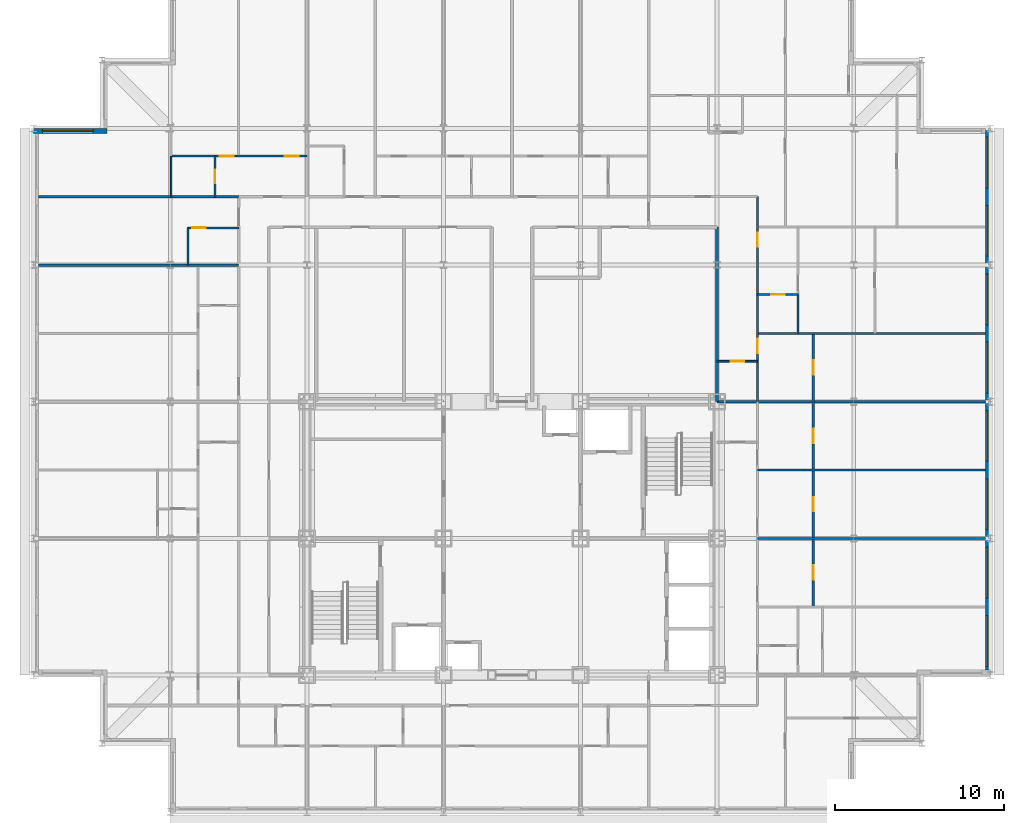
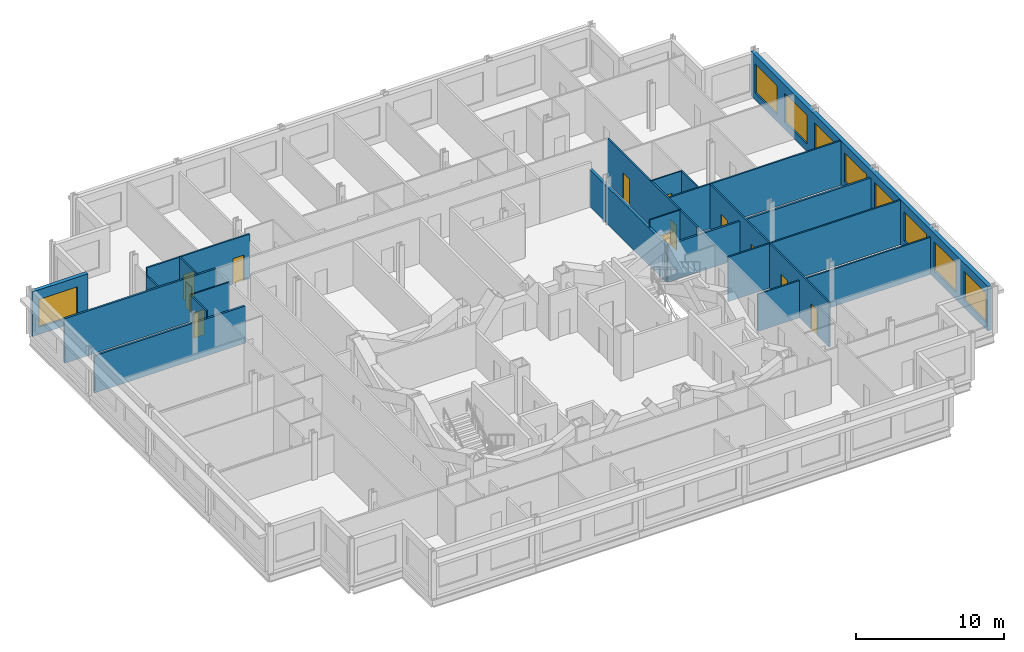
# One storey, part 11 of 15: 19 walls, 12 doors, 9 windows, 21 openings.
"""IFC4 building model written with IfcOpenShell, lengths in metres."""

import ifcopenshell
import ifcopenshell.guid

model = None  # the IFC model being written
_history = None  # IfcOwnerHistory: only IFC2X3 demands one
_inside = {}  # id of a spatial element -> (the spatial element, [elements in it])
_under = {}  # id of a project, library or spatial element -> (it, [spatial elements below it])
_declared = {}  # id of a project -> (the project, [libraries it declares])
_typed = {}  # id of a type object -> (the type object, [elements of that type])
_made_of = {}  # id of a material, layer set ... -> (it, [elements and type objects made of it])


def new_model(schema):
    """Start an empty IFC model of exactly this schema.

    Asked for "IFC4X3", IfcOpenShell would pick the latest addendum, in which some entities
    have other attributes; the version numbers below select the first issue.
    IFC2X3 requires an IfcOwnerHistory on every rooted entity: one is made here for all.
    """
    global model, _history
    if schema == "IFC4X3":
        model = ifcopenshell.file(schema_version=(4, 3, 0, 0))
    else:
        model = ifcopenshell.file(schema=schema)
    _inside.clear()
    _under.clear()
    _declared.clear()
    _typed.clear()
    _made_of.clear()
    _history = None
    if model.schema == "IFC2X3":
        org = make("IfcOrganization", Name="unknown")
        user = make(
            "IfcPersonAndOrganization",
            ThePerson=make("IfcPerson", FamilyName="unknown"),
            TheOrganization=org,
        )
        app = make(
            "IfcApplication",
            ApplicationDeveloper=org,
            Version="unknown",
            ApplicationFullName="unknown",
            ApplicationIdentifier="unknown",
        )
        _history = make(
            "IfcOwnerHistory",
            OwningUser=user,
            OwningApplication=app,
            ChangeAction="ADDED",
            CreationDate=0,
        )
    return model


def make(cls, **values):
    """One entity of the class cls with the attributes given. An attribute that is None is left unset."""
    return model.create_entity(
        cls, **{name: value for name, value in values.items() if value is not None}
    )


def rooted(cls, **values):
    """An entity with a GlobalId (a new one), such as an element, a storey or a relation."""
    return make(cls, GlobalId=ifcopenshell.guid.new(), OwnerHistory=_history, **values)


def si_unit(unit_type, name, prefix=None):
    """IfcSIUnit, for example si_unit("LENGTHUNIT", "METRE", prefix="MILLI")."""
    return make("IfcSIUnit", UnitType=unit_type, Prefix=prefix, Name=name)


def assignment(units):
    """IfcUnitAssignment: the units of a project."""
    return None if units is None else make("IfcUnitAssignment", Units=units)


def point(xyz):
    """IfcCartesianPoint."""
    return None if xyz is None else make("IfcCartesianPoint", Coordinates=xyz)


def direction(xyz):
    """IfcDirection."""
    return None if xyz is None else make("IfcDirection", DirectionRatios=xyz)


def frame(location, z_axis=None, x_axis=None):
    """IfcAxis2Placement3D, a coordinate frame: its origin and axes. An axis left out is left unset."""
    return make(
        "IfcAxis2Placement3D",
        Location=point(location),
        Axis=direction(z_axis),
        RefDirection=direction(x_axis),
    )


def frame_2d(location, x_axis=None):
    """IfcAxis2Placement2D, a coordinate frame in the plane: its origin and x axis."""
    return make(
        "IfcAxis2Placement2D", Location=point(location), RefDirection=direction(x_axis)
    )


def origin():
    """The frame at (0, 0, 0) with its axes left unset."""
    return frame((0.0, 0.0, 0.0))


def place(relative_to, where):
    """IfcLocalPlacement: puts the frame where relative to a parent placement (None: the world)."""
    return make(
        "IfcLocalPlacement", PlacementRelTo=relative_to, RelativePlacement=where
    )


def context(
    kind, dimensions, precision=None, world=None, true_north=None, identifier=None
):
    """IfcGeometricRepresentationContext, for example the 3D "Model" context."""
    return make(
        "IfcGeometricRepresentationContext",
        ContextIdentifier=identifier,
        ContextType=kind,
        CoordinateSpaceDimension=dimensions,
        Precision=precision,
        WorldCoordinateSystem=world,
        TrueNorth=true_north,
    )


def subcontext(parent, identifier, kind, view, scale=None):
    """IfcGeometricRepresentationSubContext, for example "Body" below "Model"."""
    return make(
        "IfcGeometricRepresentationSubContext",
        ContextIdentifier=identifier,
        ContextType=kind,
        ParentContext=parent,
        TargetScale=scale,
        TargetView=view,
    )


def project(units=None, contexts=None):
    """IfcProject with its units and contexts."""
    return rooted(
        "IfcProject",
        Name="project",
        RepresentationContexts=contexts,
        UnitsInContext=assignment(units),
    )


def spatial(cls, under=None, at=None, **own):
    """A site, building, storey or space (cls), placed at a placement, below another one or the project."""
    s = rooted(cls, ObjectPlacement=at, **own)
    if under is not None:
        _under.setdefault(under.id(), (under, []))[1].append(s)
    return s


def profile(cls, at=None, kind="AREA", **sizes):
    """A parametric profile (cls). Its sizes go by their IFC names, for example OverallWidth=200.0."""
    return make(cls, ProfileType=kind, Position=at, **sizes)


def rectangle(**sizes):
    """IfcRectangleProfileDef."""
    return profile("IfcRectangleProfileDef", **sizes)


def extrude(swept, where, along, depth):
    """IfcExtrudedAreaSolid: the profile swept, set in the frame where, extruded along a direction by depth."""
    return make(
        "IfcExtrudedAreaSolid",
        SweptArea=swept,
        Position=where,
        ExtrudedDirection=direction(along),
        Depth=depth,
    )


def shape(context_of_items, identifier, shape_type, items):
    """IfcShapeRepresentation: the items that make up one representation, for example the "Body"."""
    return make(
        "IfcShapeRepresentation",
        ContextOfItems=context_of_items,
        RepresentationIdentifier=identifier,
        RepresentationType=shape_type,
        Items=items,
    )


def material(Name=None, Category=None):
    """IfcMaterial."""
    return make("IfcMaterial", Name=Name, Category=Category)


def layer(
    of_material, thickness, ventilated=None, Name=None, Category=None, Priority=None
):
    """IfcMaterialLayer: one layer of a wall or slab, of a material (None: an air gap)."""
    return make(
        "IfcMaterialLayer",
        Material=of_material,
        LayerThickness=thickness,
        IsVentilated=ventilated,
        Name=Name,
        Category=Category,
        Priority=Priority,
    )


def layer_set(layers, Name=None):
    """IfcMaterialLayerSet."""
    return make("IfcMaterialLayerSet", MaterialLayers=layers, LayerSetName=Name)


def made_of(thing, what):
    """Note that an element or type object is made of a material, layer set ...; save() writes the relation."""
    if what is not None:
        _made_of.setdefault(what.id(), (what, []))[1].append(thing)
    return thing


def type_object(cls, material=None, **own):
    """A type object (cls), such as IfcWallType, which elements share."""
    return made_of(rooted(cls, **own), material)


def element(
    cls,
    number,
    at=None,
    inside=None,
    cuts=None,
    type_object=None,
    material=None,
    context=None,
    identifier="Body",
    shape_type=None,
    held_by="IfcProductDefinitionShape",
    body=None,
    shapes=None,
    **own,
):
    """One element of the class cls, such as IfcWall. Its Tag is "e" and its number.

    at: its placement. inside: the storey or other place that contains it. cuts: it is an
    opening in that element (IfcRelVoidsElement). A single representation is given by context,
    identifier, shape_type and body (its items); several are given by shapes. held_by: the class
    of the entity that holds the representations. save() writes the other relations.
    """
    e = rooted(cls, Tag="e%d" % number, ObjectPlacement=at, **own)
    if body is not None:
        shapes = [shape(context, identifier, shape_type, body)]
    if shapes is not None:
        e.Representation = make(held_by, Representations=shapes)
    if inside is not None:
        _inside.setdefault(inside.id(), (inside, []))[1].append(e)
    if cuts is not None:
        rooted(
            "IfcRelVoidsElement", RelatingBuildingElement=cuts, RelatedOpeningElement=e
        )
    if type_object is not None:
        _typed.setdefault(type_object.id(), (type_object, []))[1].append(e)
    return made_of(e, material)


def fill(opening, filler):
    """IfcRelFillsElement: the door or window that sits in an opening."""
    return rooted(
        "IfcRelFillsElement",
        RelatingOpeningElement=opening,
        RelatedBuildingElement=filler,
    )


def aggregate(whole, parts):
    """IfcRelAggregates: a whole, such as a stair, and the parts it consists of."""
    return rooted("IfcRelAggregates", RelatingObject=whole, RelatedObjects=parts)


def save(model, path):
    """Write the relations noted so far, then the file.

    IfcRelAggregates (storeys below a building ...), IfcRelContainedInSpatialStructure (elements
    in a storey), IfcRelDefinesByType, IfcRelAssociatesMaterial and IfcRelDeclares: one each for
    every whole, place, type object, material and project.
    """
    for whole, parts in _under.values():
        aggregate(whole, parts)
    for where, things in _inside.values():
        rooted(
            "IfcRelContainedInSpatialStructure",
            RelatedElements=things,
            RelatingStructure=where,
        )
    for kind, things in _typed.values():
        rooted("IfcRelDefinesByType", RelatedObjects=things, RelatingType=kind)
    for what, things in _made_of.values():
        rooted("IfcRelAssociatesMaterial", RelatedObjects=things, RelatingMaterial=what)
    for by, libraries in _declared.values():
        rooted("IfcRelDeclares", RelatingContext=by, RelatedDefinitions=libraries)
    model.write(path)


model = new_model("IFC4")

# Units and contexts
model_context = context("Model", 3, precision=1e-05, world=origin(), true_north=direction((0.0, 1.0)))
body_context = subcontext(model_context, "Body", "Model", "MODEL_VIEW")
ifc_project = project(units=[si_unit("LENGTHUNIT", "METRE"), si_unit("AREAUNIT", "SQUARE_METRE"), si_unit("VOLUMEUNIT", "CUBIC_METRE"), si_unit("PLANEANGLEUNIT", "RADIAN"), si_unit("MASSUNIT", "GRAM", prefix="KILO")], contexts=[model_context])

# Site, building, storey
site_placement = place(None, origin())
site = spatial("IfcSite", under=ifc_project, at=site_placement, CompositionType="ELEMENT")
building_placement = place(site_placement, origin())
building = spatial("IfcBuilding", under=site, at=building_placement, Name="Kopane Lantern Tower", CompositionType="ELEMENT")
storey_placement = place(building_placement, frame((0.0, 0.0, 273.60009765625)))
storey = spatial("IfcBuildingStorey", under=building, at=storey_placement, Name="L70", CompositionType="ELEMENT", Elevation=273.60009765625)

# Wall, openings, doors
ifc_material_1 = material(Name="Gypsum board on steel studs", Category="steel")
ifc_layer_1 = layer(ifc_material_1, 0.1201171875)
ifc_layer_set_1 = layer_set([ifc_layer_1], Name="APARTMENT INTERNAL WALL 120")
wall_type_1 = type_object("IfcWallType", Name="APARTMENT INTERNAL WALL 120", PredefinedType="PARTITIONING", material=ifc_layer_set_1)
wall_1_placement = place(storey_placement, frame((8.14990234375, 55.050048828125, 0.0), z_axis=(0.0, 0.0, 1.0), x_axis=(1.0, 0.0, 0.0)))
wall_1 = element("IfcWall", 1, at=wall_1_placement, inside=storey, type_object=wall_type_1, Name="Apartment Internal Wall 120 L70", PredefinedType="PARTITIONING", context=body_context, shape_type="SweptSolid", body=[
    extrude(rectangle(XDim=8.050048828125, YDim=0.1201171875, at=frame_2d((4.02490234375, 0.0))), origin(), (0.0, 0.0, 1.0), 3.68994140625),
])
opening_1_placement = place(wall_1_placement, frame((6.72509765625, 0.0, 0.0)))
opening_1 = element("IfcOpeningElement", 2, at=opening_1_placement, cuts=wall_1, Name="Opening L70-042", PredefinedType="OPENING", context=body_context, shape_type="SweptSolid", body=[
    extrude(rectangle(XDim=0.85009765625, YDim=2.10009765625, at=frame_2d((0.425048828125, 1.050048828125))), frame((0.0, 0.070068359375, 0.0), z_axis=(0.0, -1.0, 0.0), x_axis=(1.0, 0.0, 0.0)), (0.0, 0.0, 1.0), 0.14013671875),
])
opening_2_placement = place(wall_1_placement, frame((2.875, 0.0, 0.0)))
opening_2 = element("IfcOpeningElement", 3, at=opening_2_placement, cuts=wall_1, Name="Opening L70-044", PredefinedType="OPENING", context=body_context, shape_type="SweptSolid", body=[
    extrude(rectangle(XDim=0.85009765625, YDim=2.10009765625, at=frame_2d((0.425048828125, 1.050048828125))), frame((0.0, 0.070068359375, 0.0), z_axis=(0.0, -1.0, 0.0), x_axis=(1.0, 0.0, 0.0)), (0.0, 0.0, 1.0), 0.14013671875),
])
ifc_material_2 = material(Name="Timber door set", Category="wood")
door_type_1 = type_object("IfcDoorType", Name="DOOR D4 850x2100", OperationType="SINGLE_SWING_LEFT", PredefinedType="DOOR", material=ifc_material_2)
door_1_placement = place(opening_1_placement, origin())
door_1 = element("IfcDoor", 4, at=door_1_placement, inside=storey, type_object=door_type_1, Name="Door L70-042", OperationType="SINGLE_SWING_LEFT", OverallHeight=2.10009765625, OverallWidth=0.85009765625, PredefinedType="DOOR", context=body_context, shape_type="SweptSolid", body=[
    extrude(rectangle(XDim=0.85009765625, YDim=2.10009765625, at=frame_2d((0.425048828125, 1.050048828125))), frame((0.0, 0.02490234375, 0.0), z_axis=(0.0, -1.0, 0.0), x_axis=(1.0, 0.0, 0.0)), (0.0, 0.0, 1.0), 0.050048828125),
])
fill(opening_1, door_1)
door_2_placement = place(opening_2_placement, origin())
door_2 = element("IfcDoor", 5, at=door_2_placement, inside=storey, type_object=door_type_1, Name="Door L70-044", OperationType="SINGLE_SWING_RIGHT", OverallHeight=2.10009765625, OverallWidth=0.85009765625, PredefinedType="DOOR", context=body_context, shape_type="SweptSolid", body=[
    extrude(rectangle(XDim=0.85009765625, YDim=2.10009765625, at=frame_2d((0.425048828125, 1.050048828125))), frame((0.0, 0.02490234375, 0.0), z_axis=(0.0, -1.0, 0.0), x_axis=(1.0, 0.0, 0.0)), (0.0, 0.0, 1.0), 0.050048828125),
])
fill(opening_2, door_2)

# Walls
wall_2_placement = place(storey_placement, frame((42.89990234375, 32.39990234375, 0.0), z_axis=(0.0, 0.0, 1.0), x_axis=(1.0, 0.0, 0.0)))
element("IfcWall", 6, at=wall_2_placement, inside=storey, type_object=wall_type_1, Name="Apartment Internal Wall 120 L70", PredefinedType="PARTITIONING", context=body_context, shape_type="SweptSolid", body=[
    extrude(rectangle(XDim=13.5, YDim=0.1201171875, at=frame_2d((6.75, 0.0))), origin(), (0.0, 0.0, 1.0), 3.07763671875),
])
wall_3_placement = place(storey_placement, frame((42.89990234375, 36.449951171875, 0.0), z_axis=(0.0, 0.0, 1.0), x_axis=(1.0, 0.0, 0.0)))
element("IfcWall", 7, at=wall_3_placement, inside=storey, type_object=wall_type_1, Name="Apartment Internal Wall 120 L70", PredefinedType="PARTITIONING", context=body_context, shape_type="SweptSolid", body=[
    extrude(rectangle(XDim=13.5, YDim=0.1201171875, at=frame_2d((6.75, 0.0))), origin(), (0.0, 0.0, 1.0), 3.68994140625),
])

# Wall, openings, doors
wall_4_placement = place(storey_placement, frame((42.89990234375, 52.64990234375, 0.0), z_axis=(0.0, 0.0, 1.0), x_axis=(0.0, -1.0, 0.0)))
wall_4 = element("IfcWall", 8, at=wall_4_placement, inside=storey, type_object=wall_type_1, Name="Apartment Internal Wall 120 L70", PredefinedType="PARTITIONING", context=body_context, shape_type="SweptSolid", body=[
    extrude(rectangle(XDim=12.14990234375, YDim=0.1201171875, at=frame_2d((6.074951171875, 0.0))), origin(), (0.0, 0.0, 1.0), 3.68994140625),
])
opening_3_placement = place(wall_4_placement, frame((2.125, 0.0, 0.0)))
opening_3 = element("IfcOpeningElement", 9, at=opening_3_placement, cuts=wall_4, Name="Opening L70-061", PredefinedType="OPENING", context=body_context, shape_type="SweptSolid", body=[
    extrude(rectangle(XDim=0.85009765625, YDim=2.10009765625, at=frame_2d((0.425048828125, 1.050048828125))), frame((0.0, 0.070068359375, 0.0), z_axis=(0.0, -1.0, 0.0), x_axis=(1.0, 0.0, 0.0)), (0.0, 0.0, 1.0), 0.14013671875),
])
opening_4_placement = place(wall_4_placement, frame((8.425048828125, 0.0, 0.0)))
opening_4 = element("IfcOpeningElement", 10, at=opening_4_placement, cuts=wall_4, Name="Opening L70-062", PredefinedType="OPENING", context=body_context, shape_type="SweptSolid", body=[
    extrude(rectangle(XDim=0.85009765625, YDim=2.10009765625, at=frame_2d((0.425048828125, 1.050048828125))), frame((0.0, 0.070068359375, 0.0), z_axis=(0.0, -1.0, 0.0), x_axis=(1.0, 0.0, 0.0)), (0.0, 0.0, 1.0), 0.14013671875),
])
door_3_placement = place(opening_3_placement, origin())
door_3 = element("IfcDoor", 11, at=door_3_placement, inside=storey, type_object=door_type_1, Name="Door L70-061", OperationType="SINGLE_SWING_LEFT", OverallHeight=2.10009765625, OverallWidth=0.85009765625, PredefinedType="DOOR", context=body_context, shape_type="SweptSolid", body=[
    extrude(rectangle(XDim=0.85009765625, YDim=2.10009765625, at=frame_2d((0.425048828125, 1.050048828125))), frame((0.0, 0.02490234375, 0.0), z_axis=(0.0, -1.0, 0.0), x_axis=(1.0, 0.0, 0.0)), (0.0, 0.0, 1.0), 0.050048828125),
])
fill(opening_3, door_3)
door_4_placement = place(opening_4_placement, origin())
door_4 = element("IfcDoor", 12, at=door_4_placement, inside=storey, type_object=door_type_1, Name="Door L70-062", OperationType="SINGLE_SWING_LEFT", OverallHeight=2.10009765625, OverallWidth=0.85009765625, PredefinedType="DOOR", context=body_context, shape_type="SweptSolid", body=[
    extrude(rectangle(XDim=0.85009765625, YDim=2.10009765625, at=frame_2d((0.425048828125, 1.050048828125))), frame((0.0, 0.02490234375, 0.0), z_axis=(0.0, -1.0, 0.0), x_axis=(1.0, 0.0, 0.0)), (0.0, 0.0, 1.0), 0.050048828125),
])
fill(opening_4, door_4)

# Wall
wall_5_placement = place(storey_placement, frame((42.89990234375, 44.550048828125, 0.0), z_axis=(0.0, 0.0, 1.0), x_axis=(1.0, 0.0, 0.0)))
element("IfcWall", 13, at=wall_5_placement, inside=storey, type_object=wall_type_1, Name="Apartment Internal Wall 120 L70", PredefinedType="PARTITIONING", context=body_context, shape_type="SweptSolid", body=[
    extrude(rectangle(XDim=13.5, YDim=0.1201171875, at=frame_2d((6.75, 0.0))), origin(), (0.0, 0.0, 1.0), 3.68994140625),
])

# Wall, openings, doors
wall_6_placement = place(storey_placement, frame((46.199951171875, 28.35009765625, 0.0), z_axis=(0.0, 0.0, 1.0), x_axis=(0.0, 1.0, 0.0)))
wall_6 = element("IfcWall", 14, at=wall_6_placement, inside=storey, type_object=wall_type_1, Name="Apartment Internal Wall 120 L70", PredefinedType="PARTITIONING", context=body_context, shape_type="SweptSolid", body=[
    extrude(rectangle(XDim=16.199951171875, YDim=0.1201171875, at=frame_2d((8.10009765625, 0.0))), origin(), (0.0, 0.0, 1.0), 3.68994140625),
])
opening_5_placement = place(wall_6_placement, frame((1.60009765625, 0.0, 0.0)))
opening_5 = element("IfcOpeningElement", 15, at=opening_5_placement, cuts=wall_6, Name="Opening L70-069", PredefinedType="OPENING", context=body_context, shape_type="SweptSolid", body=[
    extrude(rectangle(XDim=0.85009765625, YDim=2.10009765625, at=frame_2d((0.425048828125, 1.050048828125))), frame((0.0, 0.070068359375, 0.0), z_axis=(0.0, -1.0, 0.0), x_axis=(1.0, 0.0, 0.0)), (0.0, 0.0, 1.0), 0.14013671875),
])
opening_6_placement = place(wall_6_placement, frame((5.64990234375, 0.0, 0.0)))
opening_6 = element("IfcOpeningElement", 16, at=opening_6_placement, cuts=wall_6, Name="Opening L70-070", PredefinedType="OPENING", context=body_context, shape_type="SweptSolid", body=[
    extrude(rectangle(XDim=0.85009765625, YDim=2.10009765625, at=frame_2d((0.425048828125, 1.050048828125))), frame((0.0, 0.070068359375, 0.0), z_axis=(0.0, -1.0, 0.0), x_axis=(1.0, 0.0, 0.0)), (0.0, 0.0, 1.0), 0.14013671875),
])
opening_7_placement = place(wall_6_placement, frame((9.699951171875, 0.0, 0.0)))
opening_7 = element("IfcOpeningElement", 17, at=opening_7_placement, cuts=wall_6, Name="Opening L70-071", PredefinedType="OPENING", context=body_context, shape_type="SweptSolid", body=[
    extrude(rectangle(XDim=0.85009765625, YDim=2.10009765625, at=frame_2d((0.425048828125, 1.050048828125))), frame((0.0, 0.070068359375, 0.0), z_axis=(0.0, -1.0, 0.0), x_axis=(1.0, 0.0, 0.0)), (0.0, 0.0, 1.0), 0.14013671875),
])
opening_8_placement = place(wall_6_placement, frame((13.75, 0.0, 0.0)))
opening_8 = element("IfcOpeningElement", 18, at=opening_8_placement, cuts=wall_6, Name="Opening L70-074", PredefinedType="OPENING", context=body_context, shape_type="SweptSolid", body=[
    extrude(rectangle(XDim=0.85009765625, YDim=2.10009765625, at=frame_2d((0.425048828125, 1.050048828125))), frame((0.0, 0.070068359375, 0.0), z_axis=(0.0, -1.0, 0.0), x_axis=(1.0, 0.0, 0.0)), (0.0, 0.0, 1.0), 0.14013671875),
])
door_5_placement = place(opening_5_placement, origin())
door_5 = element("IfcDoor", 19, at=door_5_placement, inside=storey, type_object=door_type_1, Name="Door L70-069", OperationType="SINGLE_SWING_LEFT", OverallHeight=2.10009765625, OverallWidth=0.85009765625, PredefinedType="DOOR", context=body_context, shape_type="SweptSolid", body=[
    extrude(rectangle(XDim=0.85009765625, YDim=2.10009765625, at=frame_2d((0.425048828125, 1.050048828125))), frame((0.0, 0.02490234375, 0.0), z_axis=(0.0, -1.0, 0.0), x_axis=(1.0, 0.0, 0.0)), (0.0, 0.0, 1.0), 0.050048828125),
])
fill(opening_5, door_5)
door_6_placement = place(opening_6_placement, origin())
door_6 = element("IfcDoor", 20, at=door_6_placement, inside=storey, type_object=door_type_1, Name="Door L70-070", OperationType="SINGLE_SWING_RIGHT", OverallHeight=2.10009765625, OverallWidth=0.85009765625, PredefinedType="DOOR", context=body_context, shape_type="SweptSolid", body=[
    extrude(rectangle(XDim=0.85009765625, YDim=2.10009765625, at=frame_2d((0.425048828125, 1.050048828125))), frame((0.0, 0.02490234375, 0.0), z_axis=(0.0, -1.0, 0.0), x_axis=(1.0, 0.0, 0.0)), (0.0, 0.0, 1.0), 0.050048828125),
])
fill(opening_6, door_6)
door_7_placement = place(opening_7_placement, origin())
door_7 = element("IfcDoor", 21, at=door_7_placement, inside=storey, type_object=door_type_1, Name="Door L70-071", OperationType="SINGLE_SWING_LEFT", OverallHeight=2.10009765625, OverallWidth=0.85009765625, PredefinedType="DOOR", context=body_context, shape_type="SweptSolid", body=[
    extrude(rectangle(XDim=0.85009765625, YDim=2.10009765625, at=frame_2d((0.425048828125, 1.050048828125))), frame((0.0, 0.02490234375, 0.0), z_axis=(0.0, -1.0, 0.0), x_axis=(1.0, 0.0, 0.0)), (0.0, 0.0, 1.0), 0.050048828125),
])
fill(opening_7, door_7)
door_8_placement = place(opening_8_placement, origin())
door_8 = element("IfcDoor", 22, at=door_8_placement, inside=storey, type_object=door_type_1, Name="Door L70-074", OperationType="SINGLE_SWING_RIGHT", OverallHeight=2.10009765625, OverallWidth=0.85009765625, PredefinedType="DOOR", context=body_context, shape_type="SweptSolid", body=[
    extrude(rectangle(XDim=0.85009765625, YDim=2.10009765625, at=frame_2d((0.425048828125, 1.050048828125))), frame((0.0, 0.02490234375, 0.0), z_axis=(0.0, -1.0, 0.0), x_axis=(1.0, 0.0, 0.0)), (0.0, 0.0, 1.0), 0.050048828125),
])
fill(opening_8, door_8)

# Wall
ifc_material_3 = material(Name="Moisture-resistant board on steel studs", Category="steel")
ifc_layer_2 = layer(ifc_material_3, 0.10009765625)
ifc_layer_set_2 = layer_set([ifc_layer_2], Name="BATHROOM WALL 100")
wall_type_2 = type_object("IfcWallType", Name="BATHROOM WALL 100", PredefinedType="PARTITIONING", material=ifc_layer_set_2)
wall_7_placement = place(storey_placement, frame((9.14990234375, 48.60009765625, 0.0), z_axis=(0.0, 0.0, 1.0), x_axis=(0.0, 1.0, 0.0)))
element("IfcWall", 23, at=wall_7_placement, inside=storey, type_object=wall_type_2, Name="Bathroom Wall 100 L70", PredefinedType="PARTITIONING", context=body_context, shape_type="SweptSolid", body=[
    extrude(rectangle(XDim=2.199951171875, YDim=0.10009765625, at=frame_2d((1.10009765625, 0.0))), origin(), (0.0, 0.0, 1.0), 3.68994140625),
])

# Wall, opening, door
wall_8_placement = place(storey_placement, frame((12.14990234375, 50.800048828125, 0.0), z_axis=(0.0, 0.0, 1.0), x_axis=(-1.0, 0.0, 0.0)))
wall_8 = element("IfcWall", 24, at=wall_8_placement, inside=storey, type_object=wall_type_2, Name="Bathroom Wall 100 L70", PredefinedType="PARTITIONING", context=body_context, shape_type="SweptSolid", body=[
    extrude(rectangle(XDim=3.0, YDim=0.10009765625, at=frame_2d((1.5, 0.0))), origin(), (0.0, 0.0, 1.0), 3.68994140625),
])
opening_9_placement = place(wall_8_placement, frame((1.949951171875, 0.0, 0.0)))
opening_9 = element("IfcOpeningElement", 25, at=opening_9_placement, cuts=wall_8, Name="Opening L70-036", PredefinedType="OPENING", context=body_context, shape_type="SweptSolid", body=[
    extrude(rectangle(XDim=0.800048828125, YDim=2.10009765625, at=frame_2d((0.39990234375, 1.050048828125))), frame((0.0, 0.06005859375, 0.0), z_axis=(0.0, -1.0, 0.0), x_axis=(1.0, 0.0, 0.0)), (0.0, 0.0, 1.0), 0.1201171875),
])
ifc_material_4 = material(Name="Timber door set", Category="wood")
door_type_2 = type_object("IfcDoorType", Name="DOOR D2 800x2100", OperationType="SINGLE_SWING_LEFT", PredefinedType="DOOR", material=ifc_material_4)
door_9_placement = place(opening_9_placement, origin())
door_9 = element("IfcDoor", 26, at=door_9_placement, inside=storey, type_object=door_type_2, Name="Door L70-036", OperationType="SINGLE_SWING_RIGHT", OverallHeight=2.10009765625, OverallWidth=0.800048828125, PredefinedType="DOOR", context=body_context, shape_type="SweptSolid", body=[
    extrude(rectangle(XDim=0.800048828125, YDim=2.10009765625, at=frame_2d((0.39990234375, 1.050048828125))), frame((0.0, 0.02490234375, 0.0), z_axis=(0.0, -1.0, 0.0), x_axis=(1.0, 0.0, 0.0)), (0.0, 0.0, 1.0), 0.050048828125),
])
fill(opening_9, door_9)

wall_9_placement = place(storey_placement, frame((10.75, 52.64990234375, 0.0), z_axis=(0.0, 0.0, 1.0), x_axis=(0.0, 1.0, 0.0)))
wall_9 = element("IfcWall", 27, at=wall_9_placement, inside=storey, type_object=wall_type_2, Name="Bathroom Wall 100 L70", PredefinedType="PARTITIONING", context=body_context, shape_type="SweptSolid", body=[
    extrude(rectangle(XDim=2.400146484375, YDim=0.10009765625, at=frame_2d((1.2001953125, 0.0))), origin(), (0.0, 0.0, 1.0), 3.68994140625),
])
opening_10_placement = place(wall_9_placement, frame((0.800048828125, 0.0, 0.0)))
opening_10 = element("IfcOpeningElement", 28, at=opening_10_placement, cuts=wall_9, Name="Opening L70-043", PredefinedType="OPENING", context=body_context, shape_type="SweptSolid", body=[
    extrude(rectangle(XDim=0.800048828125, YDim=2.10009765625, at=frame_2d((0.39990234375, 1.050048828125))), frame((0.0, 0.06005859375, 0.0), z_axis=(0.0, -1.0, 0.0), x_axis=(1.0, 0.0, 0.0)), (0.0, 0.0, 1.0), 0.1201171875),
])
door_10_placement = place(opening_10_placement, origin())
door_10 = element("IfcDoor", 29, at=door_10_placement, inside=storey, type_object=door_type_2, Name="Door L70-043", OperationType="SINGLE_SWING_LEFT", OverallHeight=2.10009765625, OverallWidth=0.800048828125, PredefinedType="DOOR", context=body_context, shape_type="SweptSolid", body=[
    extrude(rectangle(XDim=0.800048828125, YDim=2.10009765625, at=frame_2d((0.39990234375, 1.050048828125))), frame((0.0, 0.02490234375, 0.0), z_axis=(0.0, -1.0, 0.0), x_axis=(1.0, 0.0, 0.0)), (0.0, 0.0, 1.0), 0.050048828125),
])
fill(opening_10, door_10)

# Wall
wall_10_placement = place(storey_placement, frame((8.14990234375, 52.64990234375, 0.0), z_axis=(0.0, 0.0, 1.0), x_axis=(0.0, 1.0, 0.0)))
element("IfcWall", 30, at=wall_10_placement, inside=storey, type_object=wall_type_2, Name="Bathroom Wall 100 L70", PredefinedType="PARTITIONING", context=body_context, shape_type="SweptSolid", body=[
    extrude(rectangle(XDim=2.400146484375, YDim=0.10009765625, at=frame_2d((1.2001953125, 0.0))), origin(), (0.0, 0.0, 1.0), 3.07763671875),
])

# Wall, opening, door
wall_11_placement = place(storey_placement, frame((40.5, 42.89990234375, 0.0), z_axis=(0.0, 0.0, 1.0), x_axis=(1.0, 0.0, 0.0)))
wall_11 = element("IfcWall", 31, at=wall_11_placement, inside=storey, type_object=wall_type_2, Name="Bathroom Wall 100 L70", PredefinedType="PARTITIONING", context=body_context, shape_type="SweptSolid", body=[
    extrude(rectangle(XDim=2.39990234375, YDim=0.10009765625, at=frame_2d((1.199951171875, 0.0))), origin(), (0.0, 0.0, 1.0), 3.68994140625),
])
opening_11_placement = place(wall_11_placement, frame((0.800048828125, 0.0, 0.0)))
opening_11 = element("IfcOpeningElement", 32, at=opening_11_placement, cuts=wall_11, Name="Opening L70-055", PredefinedType="OPENING", context=body_context, shape_type="SweptSolid", body=[
    extrude(rectangle(XDim=0.800048828125, YDim=2.10009765625, at=frame_2d((0.39990234375, 1.050048828125))), frame((0.0, 0.06005859375, 0.0), z_axis=(0.0, -1.0, 0.0), x_axis=(1.0, 0.0, 0.0)), (0.0, 0.0, 1.0), 0.1201171875),
])
door_11_placement = place(opening_11_placement, origin())
door_11 = element("IfcDoor", 33, at=door_11_placement, inside=storey, type_object=door_type_2, Name="Door L70-055", OperationType="SINGLE_SWING_RIGHT", OverallHeight=2.10009765625, OverallWidth=0.800048828125, PredefinedType="DOOR", context=body_context, shape_type="SweptSolid", body=[
    extrude(rectangle(XDim=0.800048828125, YDim=2.10009765625, at=frame_2d((0.39990234375, 1.050048828125))), frame((0.0, 0.02490234375, 0.0), z_axis=(0.0, -1.0, 0.0), x_axis=(1.0, 0.0, 0.0)), (0.0, 0.0, 1.0), 0.050048828125),
])
fill(opening_11, door_11)

wall_12_placement = place(storey_placement, frame((42.89990234375, 46.85009765625, 0.0), z_axis=(0.0, 0.0, 1.0), x_axis=(1.0, 0.0, 0.0)))
wall_12 = element("IfcWall", 34, at=wall_12_placement, inside=storey, type_object=wall_type_2, Name="Bathroom Wall 100 L70", PredefinedType="PARTITIONING", context=body_context, shape_type="SweptSolid", body=[
    extrude(rectangle(XDim=2.400146484375, YDim=0.10009765625, at=frame_2d((1.2001953125, 0.0))), origin(), (0.0, 0.0, 1.0), 3.68994140625),
])
opening_12_placement = place(wall_12_placement, frame((0.800048828125, 0.0, 0.0)))
opening_12 = element("IfcOpeningElement", 35, at=opening_12_placement, cuts=wall_12, Name="Opening L70-060", PredefinedType="OPENING", context=body_context, shape_type="SweptSolid", body=[
    extrude(rectangle(XDim=0.800048828125, YDim=2.10009765625, at=frame_2d((0.39990234375, 1.050048828125))), frame((0.0, 0.06005859375, 0.0), z_axis=(0.0, -1.0, 0.0), x_axis=(1.0, 0.0, 0.0)), (0.0, 0.0, 1.0), 0.1201171875),
])
door_12_placement = place(opening_12_placement, origin())
door_12 = element("IfcDoor", 36, at=door_12_placement, inside=storey, type_object=door_type_2, Name="Door L70-060", OperationType="SINGLE_SWING_LEFT", OverallHeight=2.10009765625, OverallWidth=0.800048828125, PredefinedType="DOOR", context=body_context, shape_type="SweptSolid", body=[
    extrude(rectangle(XDim=0.800048828125, YDim=2.10009765625, at=frame_2d((0.39990234375, 1.050048828125))), frame((0.0, 0.02490234375, 0.0), z_axis=(0.0, -1.0, 0.0), x_axis=(1.0, 0.0, 0.0)), (0.0, 0.0, 1.0), 0.050048828125),
])
fill(opening_12, door_12)

# Walls
wall_13_placement = place(storey_placement, frame((45.300048828125, 46.85009765625, 0.0), z_axis=(0.0, 0.0, 1.0), x_axis=(0.0, -1.0, 0.0)))
element("IfcWall", 37, at=wall_13_placement, inside=storey, type_object=wall_type_2, Name="Bathroom Wall 100 L70", PredefinedType="PARTITIONING", context=body_context, shape_type="SweptSolid", body=[
    extrude(rectangle(XDim=2.300048828125, YDim=0.10009765625, at=frame_2d((1.14990234375, 0.0))), origin(), (0.0, 0.0, 1.0), 3.68994140625),
])
ifc_material_5 = material(Name="Gypsum board on steel studs", Category="steel")
ifc_layer_3 = layer(ifc_material_5, 0.14990234375)
ifc_layer_set_3 = layer_set([ifc_layer_3], Name="DEMISING WALL 150 EI 60")
wall_type_3 = type_object("IfcWallType", Name="DEMISING WALL 150 EI 60", PredefinedType="PARTITIONING", material=ifc_layer_set_3)
wall_14_placement = place(storey_placement, frame((12.14990234375, 48.60009765625, 0.0), z_axis=(0.0, 0.0, 1.0), x_axis=(-1.0, 0.0, 0.0)))
element("IfcWall", 38, at=wall_14_placement, inside=storey, type_object=wall_type_3, Name="Demising Wall 150 Ei 60 L70", PredefinedType="PARTITIONING", context=body_context, shape_type="SweptSolid", body=[
    extrude(rectangle(XDim=11.849853515625, YDim=0.14990234375, at=frame_2d((5.9248046875, 0.0))), origin(), (0.0, 0.0, 1.0), 3.07763671875),
])
wall_15_placement = place(storey_placement, frame((0.300048828125, 52.64990234375, 0.0), z_axis=(0.0, 0.0, 1.0), x_axis=(1.0, 0.0, 0.0)))
element("IfcWall", 39, at=wall_15_placement, inside=storey, type_object=wall_type_3, Name="Demising Wall 150 Ei 60 L70", PredefinedType="PARTITIONING", context=body_context, shape_type="SweptSolid", body=[
    extrude(rectangle(XDim=11.849853515625, YDim=0.14990234375, at=frame_2d((5.9248046875, 0.0))), origin(), (0.0, 0.0, 1.0), 3.68994140625),
])
wall_16_placement = place(storey_placement, frame((40.5, 40.5, 0.0), z_axis=(0.0, 0.0, 1.0), x_axis=(1.0, 0.0, 0.0)))
element("IfcWall", 40, at=wall_16_placement, inside=storey, type_object=wall_type_3, Name="Demising Wall 150 Ei 60 L70", PredefinedType="PARTITIONING", context=body_context, shape_type="SweptSolid", body=[
    extrude(rectangle(XDim=15.89990234375, YDim=0.14990234375, at=frame_2d((7.949951171875, 0.0))), origin(), (0.0, 0.0, 1.0), 3.07763671875),
])

# Wall, openings, windows
ifc_material_6 = material(Name="Terracotta rainscreen on light steel framing", Category="masonry")
ifc_layer_4 = layer(ifc_material_6, 0.300048828125)
ifc_layer_set_4 = layer_set([ifc_layer_4], Name="EXTERNAL WALL EW1 300 TERRACOTTA")
wall_type_4 = type_object("IfcWallType", Name="EXTERNAL WALL EW1 300 TERRACOTTA", PredefinedType="SOLIDWALL", material=ifc_layer_set_4)
wall_17_placement = place(storey_placement, frame((56.550048828125, 24.60009765625, 0.0), z_axis=(0.0, 0.0, 1.0), x_axis=(0.0, 1.0, 0.0)))
wall_17 = element("IfcWall", 41, at=wall_17_placement, inside=storey, type_object=wall_type_4, Name="External wall E L70", PredefinedType="SOLIDWALL", context=body_context, shape_type="SweptSolid", body=[
    extrude(rectangle(XDim=32.099853515625, YDim=0.300048828125, at=frame_2d((16.0498046875, 0.0))), origin(), (0.0, 0.0, 1.0), 3.68994140625),
])
opening_13_placement = place(wall_17_placement, frame((0.22509765625, 0.0, 0.60009765625)))
opening_13 = element("IfcOpeningElement", 42, at=opening_13_placement, cuts=wall_17, Name="Opening WR300240", PredefinedType="OPENING", context=body_context, shape_type="SweptSolid", body=[
    extrude(rectangle(XDim=3.0, YDim=2.39990234375, at=frame_2d((1.5, 1.199951171875))), frame((0.0, 0.159912109375, 0.0), z_axis=(0.0, -1.0, 0.0), x_axis=(1.0, 0.0, 0.0)), (0.0, 0.0, 1.0), 0.320068359375),
])
opening_14_placement = place(wall_17_placement, frame((4.27490234375, 0.0, 0.60009765625)))
opening_14 = element("IfcOpeningElement", 43, at=opening_14_placement, cuts=wall_17, Name="Opening WR300240", PredefinedType="OPENING", context=body_context, shape_type="SweptSolid", body=[
    extrude(rectangle(XDim=3.0, YDim=2.39990234375, at=frame_2d((1.5, 1.199951171875))), frame((0.0, 0.159912109375, 0.0), z_axis=(0.0, -1.0, 0.0), x_axis=(1.0, 0.0, 0.0)), (0.0, 0.0, 1.0), 0.320068359375),
])
opening_15_placement = place(wall_17_placement, frame((8.324951171875, 0.0, 0.60009765625)))
opening_15 = element("IfcOpeningElement", 44, at=opening_15_placement, cuts=wall_17, Name="Opening WR300240", PredefinedType="OPENING", context=body_context, shape_type="SweptSolid", body=[
    extrude(rectangle(XDim=3.0, YDim=2.39990234375, at=frame_2d((1.5, 1.199951171875))), frame((0.0, 0.159912109375, 0.0), z_axis=(0.0, -1.0, 0.0), x_axis=(1.0, 0.0, 0.0)), (0.0, 0.0, 1.0), 0.320068359375),
])
opening_16_placement = place(wall_17_placement, frame((12.375, 0.0, 0.60009765625)))
opening_16 = element("IfcOpeningElement", 45, at=opening_16_placement, cuts=wall_17, Name="Opening WR300240", PredefinedType="OPENING", context=body_context, shape_type="SweptSolid", body=[
    extrude(rectangle(XDim=3.0, YDim=2.39990234375, at=frame_2d((1.5, 1.199951171875))), frame((0.0, 0.159912109375, 0.0), z_axis=(0.0, -1.0, 0.0), x_axis=(1.0, 0.0, 0.0)), (0.0, 0.0, 1.0), 0.320068359375),
])
opening_17_placement = place(wall_17_placement, frame((16.425048828125, 0.0, 0.60009765625)))
opening_17 = element("IfcOpeningElement", 46, at=opening_17_placement, cuts=wall_17, Name="Opening WR300240", PredefinedType="OPENING", context=body_context, shape_type="SweptSolid", body=[
    extrude(rectangle(XDim=3.0, YDim=2.39990234375, at=frame_2d((1.5, 1.199951171875))), frame((0.0, 0.159912109375, 0.0), z_axis=(0.0, -1.0, 0.0), x_axis=(1.0, 0.0, 0.0)), (0.0, 0.0, 1.0), 0.320068359375),
])
opening_18_placement = place(wall_17_placement, frame((20.47509765625, 0.0, 0.60009765625)))
opening_18 = element("IfcOpeningElement", 47, at=opening_18_placement, cuts=wall_17, Name="Opening WR300240", PredefinedType="OPENING", context=body_context, shape_type="SweptSolid", body=[
    extrude(rectangle(XDim=3.0, YDim=2.39990234375, at=frame_2d((1.5, 1.199951171875))), frame((0.0, 0.159912109375, 0.0), z_axis=(0.0, -1.0, 0.0), x_axis=(1.0, 0.0, 0.0)), (0.0, 0.0, 1.0), 0.320068359375),
])
opening_19_placement = place(wall_17_placement, frame((24.52490234375, 0.0, 0.60009765625)))
opening_19 = element("IfcOpeningElement", 48, at=opening_19_placement, cuts=wall_17, Name="Opening WR300240", PredefinedType="OPENING", context=body_context, shape_type="SweptSolid", body=[
    extrude(rectangle(XDim=3.0, YDim=2.39990234375, at=frame_2d((1.5, 1.199951171875))), frame((0.0, 0.159912109375, 0.0), z_axis=(0.0, -1.0, 0.0), x_axis=(1.0, 0.0, 0.0)), (0.0, 0.0, 1.0), 0.320068359375),
])
opening_20_placement = place(wall_17_placement, frame((28.574951171875, 0.0, 0.60009765625)))
opening_20 = element("IfcOpeningElement", 49, at=opening_20_placement, cuts=wall_17, Name="Opening WR300240", PredefinedType="OPENING", context=body_context, shape_type="SweptSolid", body=[
    extrude(rectangle(XDim=3.0, YDim=2.39990234375, at=frame_2d((1.5, 1.199951171875))), frame((0.0, 0.159912109375, 0.0), z_axis=(0.0, -1.0, 0.0), x_axis=(1.0, 0.0, 0.0)), (0.0, 0.0, 1.0), 0.320068359375),
])
ifc_material_7 = material(Name="Aluminium and clear glass", Category="aluminium")
window_type_1 = type_object("IfcWindowType", Name="RIBBON WINDOW WR300240 3000x2400", PartitioningType="SINGLE_PANEL", PredefinedType="WINDOW", material=ifc_material_7)
window_1_placement = place(opening_13_placement, origin())
window_1 = element("IfcWindow", 50, at=window_1_placement, inside=storey, type_object=window_type_1, Name="Window E L70", OverallHeight=2.39990234375, OverallWidth=3.0, PartitioningType="SINGLE_PANEL", PredefinedType="WINDOW", context=body_context, shape_type="SweptSolid", body=[
    extrude(rectangle(XDim=3.0, YDim=2.39990234375, at=frame_2d((1.5, 1.199951171875))), frame((0.0, 0.030029296875, 0.0), z_axis=(0.0, -1.0, 0.0), x_axis=(1.0, 0.0, 0.0)), (0.0, 0.0, 1.0), 0.06005859375),
])
fill(opening_13, window_1)
window_2_placement = place(opening_14_placement, origin())
window_2 = element("IfcWindow", 51, at=window_2_placement, inside=storey, type_object=window_type_1, Name="Window E L70", OverallHeight=2.39990234375, OverallWidth=3.0, PartitioningType="SINGLE_PANEL", PredefinedType="WINDOW", context=body_context, shape_type="SweptSolid", body=[
    extrude(rectangle(XDim=3.0, YDim=2.39990234375, at=frame_2d((1.5, 1.199951171875))), frame((0.0, 0.030029296875, 0.0), z_axis=(0.0, -1.0, 0.0), x_axis=(1.0, 0.0, 0.0)), (0.0, 0.0, 1.0), 0.06005859375),
])
fill(opening_14, window_2)
window_3_placement = place(opening_15_placement, origin())
window_3 = element("IfcWindow", 52, at=window_3_placement, inside=storey, type_object=window_type_1, Name="Window E L70", OverallHeight=2.39990234375, OverallWidth=3.0, PartitioningType="SINGLE_PANEL", PredefinedType="WINDOW", context=body_context, shape_type="SweptSolid", body=[
    extrude(rectangle(XDim=3.0, YDim=2.39990234375, at=frame_2d((1.5, 1.199951171875))), frame((0.0, 0.030029296875, 0.0), z_axis=(0.0, -1.0, 0.0), x_axis=(1.0, 0.0, 0.0)), (0.0, 0.0, 1.0), 0.06005859375),
])
fill(opening_15, window_3)
window_4_placement = place(opening_16_placement, origin())
window_4 = element("IfcWindow", 53, at=window_4_placement, inside=storey, type_object=window_type_1, Name="Window E L70", OverallHeight=2.39990234375, OverallWidth=3.0, PartitioningType="SINGLE_PANEL", PredefinedType="WINDOW", context=body_context, shape_type="SweptSolid", body=[
    extrude(rectangle(XDim=3.0, YDim=2.39990234375, at=frame_2d((1.5, 1.199951171875))), frame((0.0, 0.030029296875, 0.0), z_axis=(0.0, -1.0, 0.0), x_axis=(1.0, 0.0, 0.0)), (0.0, 0.0, 1.0), 0.06005859375),
])
fill(opening_16, window_4)
window_5_placement = place(opening_17_placement, origin())
window_5 = element("IfcWindow", 54, at=window_5_placement, inside=storey, type_object=window_type_1, Name="Window E L70", OverallHeight=2.39990234375, OverallWidth=3.0, PartitioningType="SINGLE_PANEL", PredefinedType="WINDOW", context=body_context, shape_type="SweptSolid", body=[
    extrude(rectangle(XDim=3.0, YDim=2.39990234375, at=frame_2d((1.5, 1.199951171875))), frame((0.0, 0.030029296875, 0.0), z_axis=(0.0, -1.0, 0.0), x_axis=(1.0, 0.0, 0.0)), (0.0, 0.0, 1.0), 0.06005859375),
])
fill(opening_17, window_5)
window_6_placement = place(opening_18_placement, origin())
window_6 = element("IfcWindow", 55, at=window_6_placement, inside=storey, type_object=window_type_1, Name="Window E L70", OverallHeight=2.39990234375, OverallWidth=3.0, PartitioningType="SINGLE_PANEL", PredefinedType="WINDOW", context=body_context, shape_type="SweptSolid", body=[
    extrude(rectangle(XDim=3.0, YDim=2.39990234375, at=frame_2d((1.5, 1.199951171875))), frame((0.0, 0.030029296875, 0.0), z_axis=(0.0, -1.0, 0.0), x_axis=(1.0, 0.0, 0.0)), (0.0, 0.0, 1.0), 0.06005859375),
])
fill(opening_18, window_6)
window_7_placement = place(opening_19_placement, origin())
window_7 = element("IfcWindow", 56, at=window_7_placement, inside=storey, type_object=window_type_1, Name="Window E L70", OverallHeight=2.39990234375, OverallWidth=3.0, PartitioningType="SINGLE_PANEL", PredefinedType="WINDOW", context=body_context, shape_type="SweptSolid", body=[
    extrude(rectangle(XDim=3.0, YDim=2.39990234375, at=frame_2d((1.5, 1.199951171875))), frame((0.0, 0.030029296875, 0.0), z_axis=(0.0, -1.0, 0.0), x_axis=(1.0, 0.0, 0.0)), (0.0, 0.0, 1.0), 0.06005859375),
])
fill(opening_19, window_7)
window_8_placement = place(opening_20_placement, origin())
window_8 = element("IfcWindow", 57, at=window_8_placement, inside=storey, type_object=window_type_1, Name="Window E L70", OverallHeight=2.39990234375, OverallWidth=3.0, PartitioningType="SINGLE_PANEL", PredefinedType="WINDOW", context=body_context, shape_type="SweptSolid", body=[
    extrude(rectangle(XDim=3.0, YDim=2.39990234375, at=frame_2d((1.5, 1.199951171875))), frame((0.0, 0.030029296875, 0.0), z_axis=(0.0, -1.0, 0.0), x_axis=(1.0, 0.0, 0.0)), (0.0, 0.0, 1.0), 0.06005859375),
])
fill(opening_20, window_8)

# Wall, opening, window
wall_18_placement = place(storey_placement, frame((4.35009765625, 56.550048828125, 0.0), z_axis=(0.0, 0.0, 1.0), x_axis=(-1.0, 0.0, 0.0)))
wall_18 = element("IfcWall", 58, at=wall_18_placement, inside=storey, type_object=wall_type_4, Name="External wall N L70", PredefinedType="SOLIDWALL", context=body_context, shape_type="SweptSolid", body=[
    extrude(rectangle(XDim=4.35009765625, YDim=0.300048828125, at=frame_2d((2.175048828125, 0.0))), origin(), (0.0, 0.0, 1.0), 3.68994140625),
])
opening_21_placement = place(wall_18_placement, frame((0.824951171875, 0.0, 0.60009765625)))
opening_21 = element("IfcOpeningElement", 59, at=opening_21_placement, cuts=wall_18, Name="Opening WR300230", PredefinedType="OPENING", context=body_context, shape_type="SweptSolid", body=[
    extrude(rectangle(XDim=3.0, YDim=2.300048828125, at=frame_2d((1.5, 1.14990234375))), frame((0.0, 0.159912109375, 0.0), z_axis=(0.0, -1.0, 0.0), x_axis=(1.0, 0.0, 0.0)), (0.0, 0.0, 1.0), 0.320068359375),
])
ifc_material_8 = material(Name="Aluminium and clear glass", Category="aluminium")
window_type_2 = type_object("IfcWindowType", Name="RIBBON WINDOW WR300230 3000x2300", PartitioningType="SINGLE_PANEL", PredefinedType="WINDOW", material=ifc_material_8)
window_9_placement = place(opening_21_placement, origin())
window_9 = element("IfcWindow", 60, at=window_9_placement, inside=storey, type_object=window_type_2, Name="Window N L70", OverallHeight=2.300048828125, OverallWidth=3.0, PartitioningType="SINGLE_PANEL", PredefinedType="WINDOW", context=body_context, shape_type="SweptSolid", body=[
    extrude(rectangle(XDim=3.0, YDim=2.300048828125, at=frame_2d((1.5, 1.14990234375))), frame((0.0, 0.030029296875, 0.0), z_axis=(0.0, -1.0, 0.0), x_axis=(1.0, 0.0, 0.0)), (0.0, 0.0, 1.0), 0.06005859375),
])
fill(opening_21, window_9)

# Wall
ifc_material_9 = material(Name="Concrete masonry", Category="masonry")
ifc_layer_5 = layer(ifc_material_9, 0.199951171875)
ifc_layer_set_5 = layer_set([ifc_layer_5], Name="PLANT ROOM WALL 200 EI 120")
wall_type_5 = type_object("IfcWallType", Name="PLANT ROOM WALL 200 EI 120", PredefinedType="SOLIDWALL", material=ifc_layer_set_5)
wall_19_placement = place(storey_placement, frame((40.5, 40.5, 0.0), z_axis=(0.0, 0.0, 1.0), x_axis=(0.0, 1.0, 0.0)))
element("IfcWall", 61, at=wall_19_placement, inside=storey, type_object=wall_type_5, Name="Plant Room Wall 200 Ei 120 L70", PredefinedType="SOLIDWALL", context=body_context, shape_type="SweptSolid", body=[
    extrude(rectangle(XDim=10.35009765625, YDim=0.199951171875, at=frame_2d((5.175048828125, 0.0))), origin(), (0.0, 0.0, 1.0), 3.07763671875),
])

save(model, "model.ifc")
